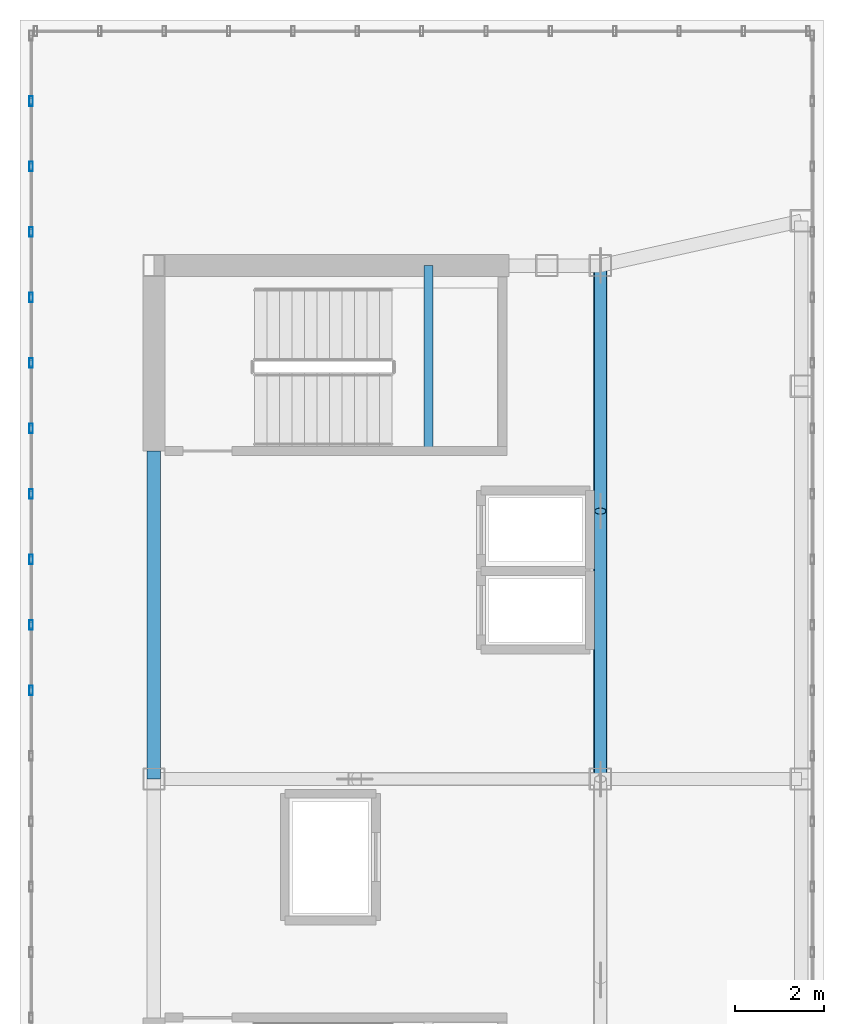
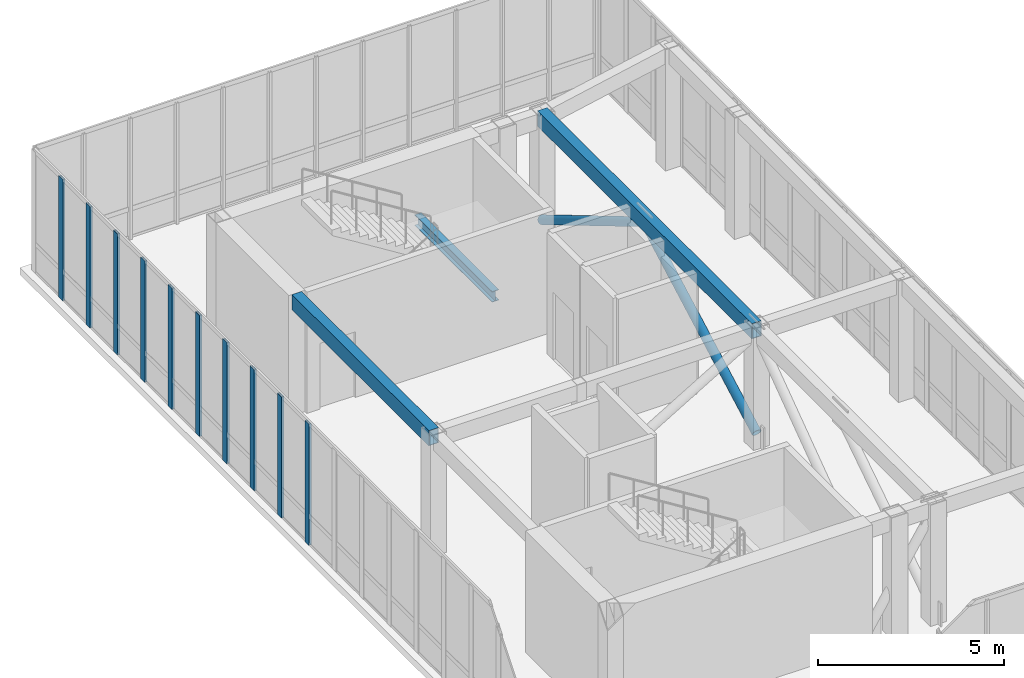
# One storey, part 8 of 13: 12 members, 3 beams, 1 element without a shape of its own.
"""IFC4 building model written with IfcOpenShell, lengths in metres."""

from ifc_helpers import new_model, si_unit, direction, frame, origin, origin_2d, place, context, subcontext, project, spatial, hollow_rectangle, hollow_circle, i_section, extrude, source, transform, mapped, material, layer, layer_set, material_profile, profile_set, type_object, element, aggregate, save


model = new_model("IFC4")

# Units and contexts
model_context = context("Model", 3, precision=1e-05, world=origin(), true_north=direction((0.0, 1.0)))
body_context = subcontext(model_context, "Body", "Model", "MODEL_VIEW")
ifc_project = project(units=[si_unit("LENGTHUNIT", "METRE"), si_unit("AREAUNIT", "SQUARE_METRE"), si_unit("VOLUMEUNIT", "CUBIC_METRE"), si_unit("PLANEANGLEUNIT", "RADIAN"), si_unit("MASSUNIT", "GRAM", prefix="KILO")], contexts=[model_context])

# Site, building, storey
site_placement = place(None, origin())
site = spatial("IfcSite", under=ifc_project, at=site_placement, CompositionType="ELEMENT")
building_placement = place(site_placement, origin())
building = spatial("IfcBuilding", under=site, at=building_placement, Name="Kharzan Plaza Tower", CompositionType="ELEMENT")
storey_placement = place(building_placement, frame((0.0, 0.0, 281.39990234375)))
storey = spatial("IfcBuildingStorey", under=building, at=storey_placement, Name="L76-CROWN", CompositionType="ELEMENT", Elevation=281.39990234375)

# Beams
ifc_material_1 = material(Name="Steel S355", Category="steel")
ifc_material_profile_1 = material_profile(ifc_material_1, i_section(OverallWidth=0.205078125, OverallDepth=0.35400390625, WebThickness=0.009521484375, FlangeThickness=0.016845703125, at=origin_2d()), Name="W360x79")
ifc_profile_set_1 = profile_set([ifc_material_profile_1], Name="Steel S355")
beam_type_1 = type_object("IfcBeamType", Name="BM-LNT360", PredefinedType="LINTEL", material=ifc_profile_set_1)
shared_shape_1 = source(origin(), body_context, "Body", "SweptSolid", [
    extrude(i_section(OverallWidth=0.205078125, OverallDepth=0.35400390625, WebThickness=0.009521484375, FlangeThickness=0.016845703125, at=origin_2d()), origin(), (0.0, 0.0, 1.0), 4.155029296875),
])
beam_1_placement = place(storey_placement, frame((10.64990234375, 25.344970703125, 1.72314453125), z_axis=(0.0, 1.0, 0.0), x_axis=(-1.0, 0.0, 0.0)))
element("IfcBeam", 1, at=beam_1_placement, inside=storey, type_object=beam_type_1, Name="L76-CROWN Stair ST-2 Half-Landing Beam", PredefinedType="LINTEL", context=body_context, shape_type="MappedRepresentation", body=[
    mapped(shared_shape_1, transform((0.0, 0.0, 0.0), x_axis=(1.0, 0.0, 0.0), y_axis=(0.0, 1.0, 0.0), z_axis=(0.0, 0.0, 1.0))),
])
ifc_material_profile_2 = material_profile(ifc_material_1, hollow_rectangle(XDim=0.300048828125, YDim=0.5, WallThickness=0.02001953125, at=origin_2d()), Name="RHS500x300x20")
ifc_profile_set_2 = profile_set([ifc_material_profile_2], Name="Steel S355")
beam_type_2 = type_object("IfcBeamType", Name="BM-CRN500", PredefinedType="BEAM", material=ifc_profile_set_2)
shared_shape_2 = source(origin(), body_context, "Body", "SweptSolid", [
    extrude(hollow_rectangle(XDim=0.300048828125, YDim=0.5, WallThickness=0.02001953125, at=origin_2d()), origin(), (0.0, 0.0, 1.0), 11.5),
])
beam_2_placement = place(storey_placement, frame((14.5, 18.0, 3.72021484375), z_axis=(0.0, 1.0, 0.0), x_axis=(-1.0, 0.0, 0.0)))
element("IfcBeam", 2, at=beam_2_placement, inside=storey, type_object=beam_type_2, Name="L76-CROWN CROWN FRAME Lantern Ring Beam CRB-M2", PredefinedType="BEAM", context=body_context, shape_type="MappedRepresentation", body=[
    mapped(shared_shape_2, transform((0.0, 0.0, 0.0), x_axis=(1.0, 0.0, 0.0), y_axis=(0.0, 1.0, 0.0), z_axis=(0.0, 0.0, 1.0))),
])
shared_shape_3 = source(origin(), body_context, "Body", "SweptSolid", [
    extrude(hollow_rectangle(XDim=0.300048828125, YDim=0.5, WallThickness=0.02001953125, at=origin_2d()), origin(), (0.0, 0.0, 1.0), 7.35009765625),
])
beam_3_placement = place(storey_placement, frame((4.5, 18.0, 3.72021484375), z_axis=(0.0, 1.0, 0.0), x_axis=(-1.0, 0.0, 0.0)))
element("IfcBeam", 3, at=beam_3_placement, inside=storey, type_object=beam_type_2, Name="L76-CROWN CROWN FRAME Lantern Ring Beam CRB-W2", PredefinedType="BEAM", context=body_context, shape_type="MappedRepresentation", body=[
    mapped(shared_shape_3, transform((0.0, 0.0, 0.0), x_axis=(1.0, 0.0, 0.0), y_axis=(0.0, 1.0, 0.0), z_axis=(0.0, 0.0, 1.0))),
])

# Members
ifc_material_profile_3 = material_profile(ifc_material_1, hollow_circle(Radius=0.136474609375, WallThickness=0.010009765625, at=origin_2d()), Name="CHS273x10")
ifc_profile_set_3 = profile_set([ifc_material_profile_3], Name="Steel S355")
member_type_1 = type_object("IfcMemberType", Name="MEM-CRN-DIAG", PredefinedType="BRACE", material=ifc_profile_set_3)
shared_shape_4 = source(origin(), body_context, "Body", "SweptSolid", [
    extrude(hollow_circle(Radius=0.136474609375, WallThickness=0.010009765625, at=origin_2d()), origin(), (0.0, 0.0, 1.0), 6.833251953125),
])
member_1_placement = place(storey_placement, frame((14.5, 18.0, 0.35009765625), z_axis=(0.0, 0.878062100793, 0.478546703207), x_axis=(-1.0, 0.0, 0.0)))
element("IfcMember", 4, at=member_1_placement, inside=storey, type_object=member_type_1, Name="L76-CROWN CROWN FRAME Diagonal Wind Brace CRD-E1", PredefinedType="BRACE", context=body_context, shape_type="MappedRepresentation", body=[
    mapped(shared_shape_4, transform((0.0, 0.0, 0.0), x_axis=(1.0, 0.0, 0.0), y_axis=(0.0, 1.0, 0.0), z_axis=(0.0, 0.0, 1.0))),
])
shared_shape_5 = source(origin(), body_context, "Body", "SweptSolid", [
    extrude(hollow_circle(Radius=0.136474609375, WallThickness=0.010009765625, at=origin_2d()), origin(), (0.0, 0.0, 1.0), 6.398681640625),
])
member_2_placement = place(storey_placement, frame((14.5, 29.5, 0.35009765625), z_axis=(0.0, -0.859553101499, 0.511046441827), x_axis=(1.0, 0.0, 0.0)))
element("IfcMember", 5, at=member_2_placement, inside=storey, type_object=member_type_1, Name="L76-CROWN CROWN FRAME Diagonal Wind Brace CRD-N1", PredefinedType="BRACE", context=body_context, shape_type="MappedRepresentation", body=[
    mapped(shared_shape_5, transform((0.0, 0.0, 0.0), x_axis=(1.0, 0.0, 0.0), y_axis=(0.0, 1.0, 0.0), z_axis=(0.0, 0.0, 1.0))),
])

# Curtain wall, members
ifc_material_2 = material(Name="Unitised Bronze-Anodized Aluminium and Low-E Glass", Category="aluminium")
ifc_layer = layer(ifc_material_2, 0.199951171875)
ifc_layer_set = layer_set([ifc_layer], Name="Unitised Bronze-Anodized Aluminium and Low-E Glass")
curtain_wall_type = type_object("IfcCurtainWallType", Name="CW-LANTERN-6", PredefinedType="NOTDEFINED", material=ifc_layer_set)
curtain_wall_placement = place(storey_placement, origin())
curtain_wall = element("IfcCurtainWall", 6, at=curtain_wall_placement, inside=storey, type_object=curtain_wall_type, Name="L76-CROWN Lantern Crown Illuminated Curtain Wall 4", PredefinedType="NOTDEFINED")
ifc_material_3 = material(Name="Anodized Bronze Aluminium", Category="aluminium")
ifc_material_profile_4 = material_profile(ifc_material_3, hollow_rectangle(XDim=0.074951171875, YDim=0.219970703125, WallThickness=0.00390625, at=origin_2d()), Name="ALU-M220x75x4")
ifc_profile_set_4 = profile_set([ifc_material_profile_4], Name="Anodized Bronze Aluminium")
member_type_2 = type_object("IfcMemberType", Name="MEM-CW-MUL200", PredefinedType="MULLION", material=ifc_profile_set_4)
shared_shape_6 = source(origin(), body_context, "Body", "SweptSolid", [
    extrude(hollow_rectangle(XDim=0.074951171875, YDim=0.219970703125, WallThickness=0.00390625, at=origin_2d()), origin(), (0.0, 0.0, 1.0), 3.97021484375),
])
member_3_placement = place(storey_placement, frame((1.75, 33.183349609375, 0.0), z_axis=(0.0, 0.0, 1.0), x_axis=(1.0, 0.0, 0.0)))
member_3 = element("IfcMember", 7, at=member_3_placement, type_object=member_type_2, Name="L76-CROWN Curtain-Wall Mullion 01", PredefinedType="MULLION", context=body_context, shape_type="MappedRepresentation", body=[
    mapped(shared_shape_6, transform((0.0, 0.0, 0.0), x_axis=(1.0, 0.0, 0.0), y_axis=(0.0, 1.0, 0.0), z_axis=(0.0, 0.0, 1.0))),
])
member_4_placement = place(storey_placement, frame((1.75, 31.716796875, 0.0), z_axis=(0.0, 0.0, 1.0), x_axis=(1.0, 0.0, 0.0)))
member_4 = element("IfcMember", 8, at=member_4_placement, type_object=member_type_2, Name="L76-CROWN Curtain-Wall Mullion 02", PredefinedType="MULLION", context=body_context, shape_type="MappedRepresentation", body=[
    mapped(shared_shape_6, transform((0.0, 0.0, 0.0), x_axis=(1.0, 0.0, 0.0), y_axis=(0.0, 1.0, 0.0), z_axis=(0.0, 0.0, 1.0))),
])
member_5_placement = place(storey_placement, frame((1.75, 30.25, 0.0), z_axis=(0.0, 0.0, 1.0), x_axis=(1.0, 0.0, 0.0)))
member_5 = element("IfcMember", 9, at=member_5_placement, type_object=member_type_2, Name="L76-CROWN Curtain-Wall Mullion 03", PredefinedType="MULLION", context=body_context, shape_type="MappedRepresentation", body=[
    mapped(shared_shape_6, transform((0.0, 0.0, 0.0), x_axis=(1.0, 0.0, 0.0), y_axis=(0.0, 1.0, 0.0), z_axis=(0.0, 0.0, 1.0))),
])
member_6_placement = place(storey_placement, frame((1.75, 28.783203125, 0.0), z_axis=(0.0, 0.0, 1.0), x_axis=(1.0, 0.0, 0.0)))
member_6 = element("IfcMember", 10, at=member_6_placement, type_object=member_type_2, Name="L76-CROWN Curtain-Wall Mullion 04", PredefinedType="MULLION", context=body_context, shape_type="MappedRepresentation", body=[
    mapped(shared_shape_6, transform((0.0, 0.0, 0.0), x_axis=(1.0, 0.0, 0.0), y_axis=(0.0, 1.0, 0.0), z_axis=(0.0, 0.0, 1.0))),
])
member_7_placement = place(storey_placement, frame((1.75, 27.316650390625, 0.0), z_axis=(0.0, 0.0, 1.0), x_axis=(1.0, 0.0, 0.0)))
member_7 = element("IfcMember", 11, at=member_7_placement, type_object=member_type_2, Name="L76-CROWN Curtain-Wall Mullion 05", PredefinedType="MULLION", context=body_context, shape_type="MappedRepresentation", body=[
    mapped(shared_shape_6, transform((0.0, 0.0, 0.0), x_axis=(1.0, 0.0, 0.0), y_axis=(0.0, 1.0, 0.0), z_axis=(0.0, 0.0, 1.0))),
])
member_8_placement = place(storey_placement, frame((1.75, 25.85009765625, 0.0), z_axis=(0.0, 0.0, 1.0), x_axis=(1.0, 0.0, 0.0)))
member_8 = element("IfcMember", 12, at=member_8_placement, type_object=member_type_2, Name="L76-CROWN Curtain-Wall Mullion 06", PredefinedType="MULLION", context=body_context, shape_type="MappedRepresentation", body=[
    mapped(shared_shape_6, transform((0.0, 0.0, 0.0), x_axis=(1.0, 0.0, 0.0), y_axis=(0.0, 1.0, 0.0), z_axis=(0.0, 0.0, 1.0))),
])
member_9_placement = place(storey_placement, frame((1.75, 24.38330078125, 0.0), z_axis=(0.0, 0.0, 1.0), x_axis=(1.0, 0.0, 0.0)))
member_9 = element("IfcMember", 13, at=member_9_placement, type_object=member_type_2, Name="L76-CROWN Curtain-Wall Mullion 07", PredefinedType="MULLION", context=body_context, shape_type="MappedRepresentation", body=[
    mapped(shared_shape_6, transform((0.0, 0.0, 0.0), x_axis=(1.0, 0.0, 0.0), y_axis=(0.0, 1.0, 0.0), z_axis=(0.0, 0.0, 1.0))),
])
member_10_placement = place(storey_placement, frame((1.75, 22.916748046875, 0.0), z_axis=(0.0, 0.0, 1.0), x_axis=(1.0, 0.0, 0.0)))
member_10 = element("IfcMember", 14, at=member_10_placement, type_object=member_type_2, Name="L76-CROWN Curtain-Wall Mullion 08", PredefinedType="MULLION", context=body_context, shape_type="MappedRepresentation", body=[
    mapped(shared_shape_6, transform((0.0, 0.0, 0.0), x_axis=(1.0, 0.0, 0.0), y_axis=(0.0, 1.0, 0.0), z_axis=(0.0, 0.0, 1.0))),
])
member_11_placement = place(storey_placement, frame((1.75, 21.449951171875, 0.0), z_axis=(0.0, 0.0, 1.0), x_axis=(1.0, 0.0, 0.0)))
member_11 = element("IfcMember", 15, at=member_11_placement, type_object=member_type_2, Name="L76-CROWN Curtain-Wall Mullion 09", PredefinedType="MULLION", context=body_context, shape_type="MappedRepresentation", body=[
    mapped(shared_shape_6, transform((0.0, 0.0, 0.0), x_axis=(1.0, 0.0, 0.0), y_axis=(0.0, 1.0, 0.0), z_axis=(0.0, 0.0, 1.0))),
])
member_12_placement = place(storey_placement, frame((1.75, 19.9833984375, 0.0), z_axis=(0.0, 0.0, 1.0), x_axis=(1.0, 0.0, 0.0)))
member_12 = element("IfcMember", 16, at=member_12_placement, type_object=member_type_2, Name="L76-CROWN Curtain-Wall Mullion 10", PredefinedType="MULLION", context=body_context, shape_type="MappedRepresentation", body=[
    mapped(shared_shape_6, transform((0.0, 0.0, 0.0), x_axis=(1.0, 0.0, 0.0), y_axis=(0.0, 1.0, 0.0), z_axis=(0.0, 0.0, 1.0))),
])
aggregate(curtain_wall, [member_3, member_4, member_5, member_6, member_7, member_8, member_9, member_10, member_11, member_12])

save(model, "model.ifc")
